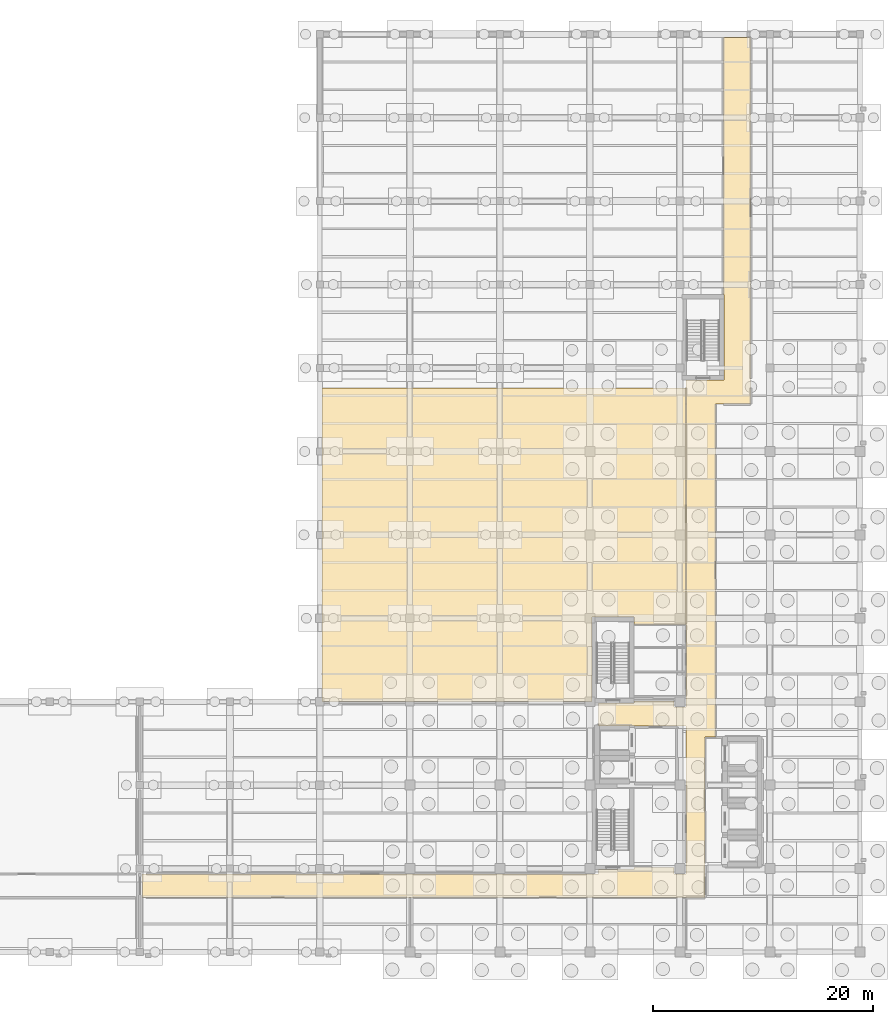
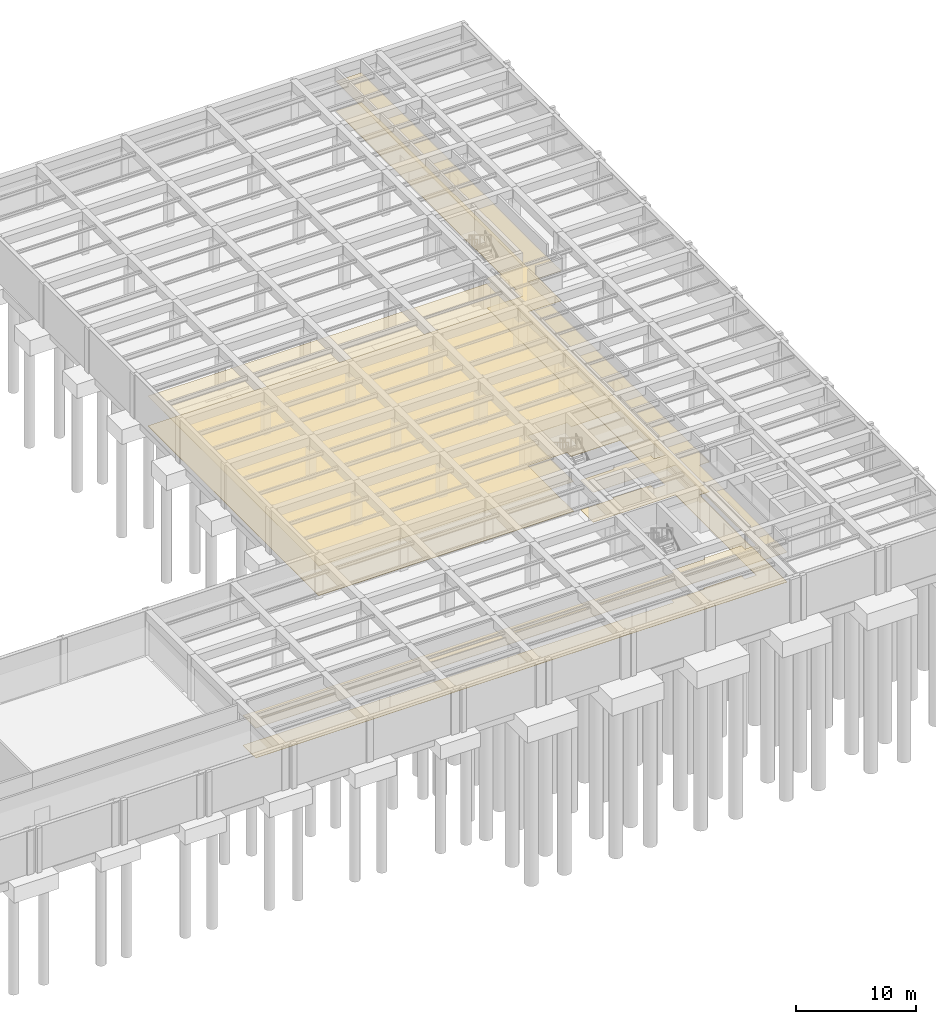
# One storey, part 27 of 29: 4 coverings.
"""IFC4 building model written with IfcOpenShell, lengths in metres."""

from ifc_helpers import new_model, si_unit, direction, frame, origin, place, context, subcontext, project, spatial, polyline, outline, extrude, material, layer, layer_set, type_object, element, save


model = new_model("IFC4")

# Units and contexts
model_context = context("Model", 3, precision=1e-05, world=origin(), true_north=direction((0.0, 1.0)))
body_context = subcontext(model_context, "Body", "Model", "MODEL_VIEW")
ifc_project = project(units=[si_unit("LENGTHUNIT", "METRE"), si_unit("AREAUNIT", "SQUARE_METRE"), si_unit("VOLUMEUNIT", "CUBIC_METRE"), si_unit("PLANEANGLEUNIT", "RADIAN"), si_unit("MASSUNIT", "GRAM", prefix="KILO")], contexts=[model_context])

# Site, building, storey
site_placement = place(None, origin())
site = spatial("IfcSite", under=ifc_project, at=site_placement, CompositionType="ELEMENT")
building_placement = place(site_placement, origin())
building = spatial("IfcBuilding", under=site, at=building_placement, Name="Qandaris Square Conservatory and Botanical Centre", CompositionType="ELEMENT")
storey_placement = place(building_placement, frame((0.0, 0.0, -4.800048828125)))
storey = spatial("IfcBuildingStorey", under=building, at=storey_placement, Name="B1", CompositionType="ELEMENT", Elevation=-4.800048828125)

# Coverings
ifc_material_1 = material(Name="Honed Qatari Limestone", Category="masonry")
ifc_layer_1 = layer(ifc_material_1, 0.030029296875)
ifc_layer_set_1 = layer_set([ifc_layer_1], Name="Honed Qatari Limestone")
covering_type_1 = type_object("IfcCoveringType", Name="Honed Qatari Limestone Concourse Paving", PredefinedType="FLOORING", material=ifc_layer_set_1)
covering_1_placement = place(storey_placement, origin())
element("IfcCovering", 1, at=covering_1_placement, inside=storey, type_object=covering_type_1, Name="Main Circulation Corridor B1 Flooring", PredefinedType="FLOORING", context=body_context, shape_type="SweptSolid", body=[
    extrude(outline(polyline([(147.949951171875, 24.75), (147.949951171875, 31.75), (147.949951171875, 36.199951171875), (147.949951171875, 37.199951171875), (140.0, 37.199951171875), (140.0, 38.89990234375), (140.0, 39.300048828125), (143.199951171875, 39.300048828125), (143.199951171875, 39.47998046875), (146.85009765625, 39.47998046875), (146.85009765625, 38.89990234375), (147.949951171875, 38.89990234375), (147.949951171875, 39.89990234375), (147.949951171875, 42.1201171875), (147.949951171875, 44.340087890625), (147.949951171875, 46.419921875), (147.949951171875, 66.5), (147.949951171875, 68.699951171875), (151.39990234375, 68.699951171875), (151.39990234375, 76.5), (151.35009765625, 76.5), (151.35009765625, 99.89990234375), (153.85009765625, 99.89990234375), (153.85009765625, 68.85009765625), (153.85009765625, 66.5), (151.35009765625, 66.5), (150.64990234375, 66.5), (150.64990234375, 36.199951171875), (149.699951171875, 36.199951171875), (149.699951171875, 36.050048828125), (149.699951171875, 24.75), (149.699951171875, 23.699951171875), (149.699951171875, 21.550048828125), (147.949951171875, 21.550048828125), (98.800048828125, 21.550048828125), (98.60009765625, 21.550048828125), (98.3798828125, 21.550048828125), (98.3798828125, 23.699951171875), (98.60009765625, 23.699951171875), (98.800048828125, 23.699951171875), (140.0, 23.699951171875), (140.0, 24.10009765625), (143.199951171875, 24.10009765625), (143.199951171875, 24.280029296875), (146.85009765625, 24.280029296875), (146.85009765625, 23.699951171875), (147.949951171875, 23.699951171875), (147.949951171875, 24.75)])), origin(), (0.0, 0.0, 1.0), 0.030029296875),
])
covering_2_placement = place(storey_placement, origin())
element("IfcCovering", 2, at=covering_2_placement, inside=storey, type_object=covering_type_1, Name="Field Expedition Equipment Store Flooring", PredefinedType="FLOORING", context=body_context, shape_type="SweptSolid", body=[
    extrude(outline(polyline([(143.199951171875, 46.419921875), (143.199951171875, 47.10009765625), (139.39990234375, 47.10009765625), (139.39990234375, 39.39990234375), (114.780029296875, 39.39990234375), (114.780029296875, 68.0), (147.949951171875, 68.0), (147.949951171875, 66.5), (147.949951171875, 46.419921875), (143.199951171875, 46.419921875)])), origin(), (0.0, 0.0, 1.0), 0.030029296875),
])
ifc_material_2 = material(Name="Gypsum Plasterboard", Category="gypsum")
ifc_layer_2 = layer(ifc_material_2, 0.02490234375)
ifc_layer_set_2 = layer_set([ifc_layer_2], Name="Gypsum Plasterboard")
covering_type_2 = type_object("IfcCoveringType", Name="Perforated Acoustic Lab Ceiling Tile", PredefinedType="CEILING", material=ifc_layer_set_2)
covering_3_placement = place(storey_placement, frame((0.0, 0.0, 3.050048828125)))
element("IfcCovering", 3, at=covering_3_placement, inside=storey, type_object=covering_type_2, Name="Main Circulation Corridor B1 Ceiling", PredefinedType="CEILING", context=body_context, shape_type="SweptSolid", body=[
    extrude(outline(polyline([(147.949951171875, 24.75), (147.949951171875, 31.75), (147.949951171875, 36.199951171875), (147.949951171875, 37.199951171875), (140.0, 37.199951171875), (140.0, 38.89990234375), (140.0, 39.300048828125), (143.199951171875, 39.300048828125), (143.199951171875, 39.47998046875), (146.85009765625, 39.47998046875), (146.85009765625, 38.89990234375), (147.949951171875, 38.89990234375), (147.949951171875, 39.89990234375), (147.949951171875, 42.1201171875), (147.949951171875, 44.340087890625), (147.949951171875, 46.419921875), (147.949951171875, 66.5), (147.949951171875, 68.699951171875), (151.39990234375, 68.699951171875), (151.39990234375, 76.5), (151.35009765625, 76.5), (151.35009765625, 99.89990234375), (153.85009765625, 99.89990234375), (153.85009765625, 68.85009765625), (153.85009765625, 66.5), (151.35009765625, 66.5), (150.64990234375, 66.5), (150.64990234375, 36.199951171875), (149.699951171875, 36.199951171875), (149.699951171875, 36.050048828125), (149.699951171875, 24.75), (149.699951171875, 23.699951171875), (149.699951171875, 21.550048828125), (147.949951171875, 21.550048828125), (98.800048828125, 21.550048828125), (98.60009765625, 21.550048828125), (98.3798828125, 21.550048828125), (98.3798828125, 23.699951171875), (98.60009765625, 23.699951171875), (98.800048828125, 23.699951171875), (140.0, 23.699951171875), (140.0, 24.10009765625), (143.199951171875, 24.10009765625), (143.199951171875, 24.280029296875), (146.85009765625, 24.280029296875), (146.85009765625, 23.699951171875), (147.949951171875, 23.699951171875), (147.949951171875, 24.75)])), origin(), (0.0, 0.0, 1.0), 0.02490234375),
])
covering_4_placement = place(storey_placement, frame((0.0, 0.0, 3.050048828125)))
element("IfcCovering", 4, at=covering_4_placement, inside=storey, type_object=covering_type_2, Name="Field Expedition Equipment Store Ceiling", PredefinedType="CEILING", context=body_context, shape_type="SweptSolid", body=[
    extrude(outline(polyline([(143.199951171875, 46.419921875), (143.199951171875, 47.10009765625), (139.39990234375, 47.10009765625), (139.39990234375, 39.39990234375), (114.780029296875, 39.39990234375), (114.780029296875, 68.0), (147.949951171875, 68.0), (147.949951171875, 66.5), (147.949951171875, 46.419921875), (143.199951171875, 46.419921875)])), origin(), (0.0, 0.0, 1.0), 0.02490234375),
])

save(model, "model.ifc")
